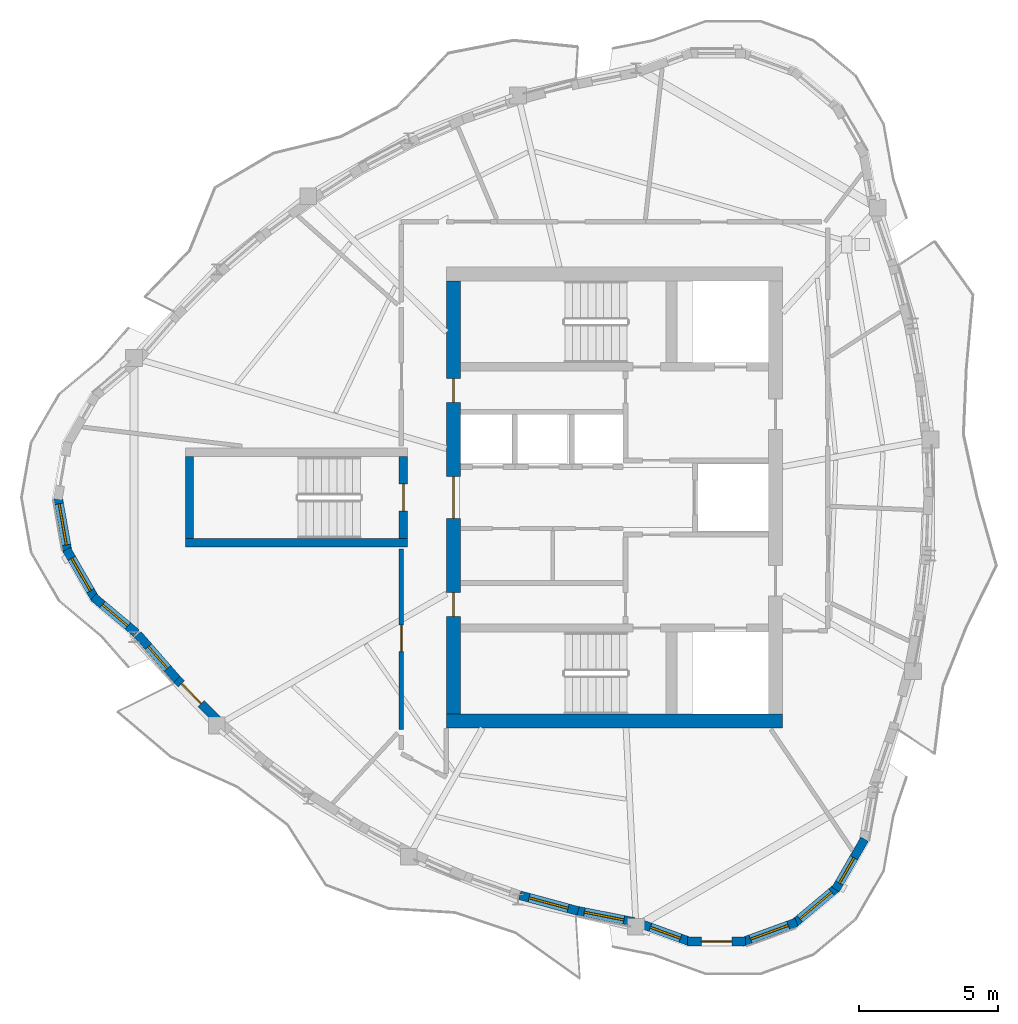
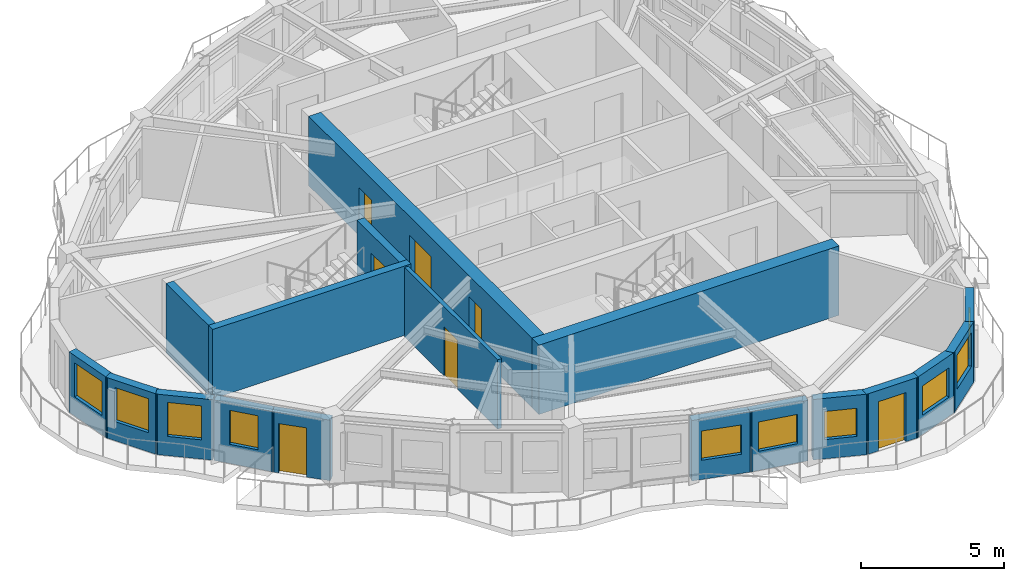
# One storey, part 3 of 12: 18 walls, 10 windows, 7 doors, 17 openings.
"""IFC4 building model written with IfcOpenShell, lengths in metres."""

from ifc_helpers import new_model, si_unit, direction, frame, frame_2d, origin, place, context, subcontext, project, spatial, rectangle, extrude, source, transform, mapped, material, layer, layer_set, type_object, element, fill, save


model = new_model("IFC4")

# Units and contexts
model_context = context("Model", 3, precision=1e-05, world=origin(), true_north=direction((0.0, 1.0)))
body_context = subcontext(model_context, "Body", "Model", "MODEL_VIEW")
ifc_project = project(units=[si_unit("LENGTHUNIT", "METRE"), si_unit("AREAUNIT", "SQUARE_METRE"), si_unit("VOLUMEUNIT", "CUBIC_METRE"), si_unit("PLANEANGLEUNIT", "RADIAN"), si_unit("MASSUNIT", "GRAM", prefix="KILO")], contexts=[model_context])

# Site, building, storey
site_placement = place(None, origin())
site = spatial("IfcSite", under=ifc_project, at=site_placement, CompositionType="ELEMENT")
building_placement = place(site_placement, origin())
building = spatial("IfcBuilding", under=site, at=building_placement, Name="Qafzar Sky-Pleat Residences", CompositionType="ELEMENT")
storey_placement = place(building_placement, frame((0.0, 0.0, 224.39990234375)))
storey = spatial("IfcBuildingStorey", under=building, at=storey_placement, Name="L67", CompositionType="ELEMENT", Elevation=224.39990234375)

# Wall, opening, door
ifc_material_1 = material(Name="Acoustic gypsum plasterboard partition", Category="gypsum")
ifc_layer_1 = layer(ifc_material_1, 0.159912109375)
ifc_layer_set_1 = layer_set([ifc_layer_1], Name="Acoustic gypsum plasterboard partition")
wall_type_1 = type_object("IfcWallType", Name="PART-COR-160", PredefinedType="PARTITIONING", material=ifc_layer_set_1)
wall_1_placement = place(storey_placement, frame((22.679931640625, 17.653076171875, 0.0), z_axis=(0.0, 0.0, 1.0), x_axis=(0.0, 1.0, 0.0)))
wall_1 = element("IfcWall", 1, at=wall_1_placement, inside=storey, type_object=wall_type_1, Name="L67 Partition Wall PART-L67-PW-001", PredefinedType="PARTITIONING", context=body_context, shape_type="SweptSolid", body=[
    extrude(rectangle(XDim=6.496826171875, YDim=0.159912109375, at=frame_2d((3.24853515625, 0.0))), origin(), (0.0, 0.0, 1.0), 2.960205078125),
])
opening_1_placement = place(wall_1_placement, frame((2.79638671875, 0.0, 0.0)))
opening_1 = element("IfcOpeningElement", 2, at=opening_1_placement, cuts=wall_1, Name="Opening ID-06", PredefinedType="OPENING", context=body_context, shape_type="SweptSolid", body=[
    extrude(rectangle(XDim=0.9599609375, YDim=2.10009765625, at=frame_2d((0.47998046875, 1.050048828125))), frame((0.0, 0.08984375, 0.0), z_axis=(0.0, -1.0, 0.0), x_axis=(1.0, 0.0, 0.0)), (0.0, 0.0, 1.0), 0.179931640625),
])
ifc_material_2 = material(Name="Timber-faced fire door", Category="wood")
door_type_1 = type_object("IfcDoorType", Name="DR-STD-960", OperationType="NOTDEFINED", PredefinedType="DOOR", material=ifc_material_2)
shared_shape_1 = source(origin(), body_context, "Body", "SweptSolid", [
    extrude(rectangle(XDim=0.9599609375, YDim=2.10009765625, at=frame_2d((0.47998046875, 1.050048828125))), frame((0.0, 0.02490234375, 0.0), z_axis=(0.0, -1.0, 0.0), x_axis=(1.0, 0.0, 0.0)), (0.0, 0.0, 1.0), 0.050048828125),
])
door_1_placement = place(opening_1_placement, origin())
door_1 = element("IfcDoor", 3, at=door_1_placement, inside=storey, type_object=door_type_1, Name="L67 Faculty Research Office Door", OperationType="SINGLE_SWING_LEFT", OverallHeight=2.10009765625, OverallWidth=0.9599609375, PredefinedType="DOOR", context=body_context, shape_type="MappedRepresentation", body=[
    mapped(shared_shape_1, transform((0.0, 0.0, 0.0), x_axis=(1.0, 0.0, 0.0), y_axis=(0.0, 1.0, 0.0), z_axis=(0.0, 0.0, 1.0), scale=1.0)),
])
fill(opening_1, door_1)

# Wall, opening, window
ifc_material_3 = material(Name="Precast concrete C40/50 with honed Riyadh limestone", Category="concrete")
ifc_layer_2 = layer(ifc_material_3, 0.320068359375)
ifc_layer_set_2 = layer_set([ifc_layer_2], Name="Precast concrete C40/50 with honed Riyadh limestone")
wall_type_2 = type_object("IfcWallType", Name="WALL-EXT-320", PredefinedType="SOLIDWALL", material=ifc_layer_set_2)
wall_2_placement = place(storey_placement, frame((10.305908203125, 26.065185546875, 0.0), z_axis=(0.0, 0.0, 1.0), x_axis=(0.173672066494, -0.984803540469, 0.0)))
wall_2 = element("IfcWall", 4, at=wall_2_placement, inside=storey, type_object=wall_type_2, Name="L67 Limestone Facade Wall 4", PredefinedType="SOLIDWALL", context=body_context, shape_type="SweptSolid", body=[
    extrude(rectangle(XDim=2.09033203125, YDim=0.320068359375, at=frame_2d((1.045166015625, 0.0))), origin(), (0.0, 0.0, 1.0), 2.580078125),
])
opening_2_placement = place(wall_2_placement, frame((0.295166015625, 0.0, 0.820068359375)))
opening_2 = element("IfcOpeningElement", 5, at=opening_2_placement, cuts=wall_2, Name="Opening WN-03", PredefinedType="OPENING", context=body_context, shape_type="SweptSolid", body=[
    extrude(rectangle(XDim=1.5, YDim=1.449951171875, at=frame_2d((0.75, 0.72509765625))), frame((0.0, 0.169921875, 0.0), z_axis=(0.0, -1.0, 0.0), x_axis=(1.0, 0.0, 0.0)), (0.0, 0.0, 1.0), 0.340087890625),
])
ifc_material_4 = material(Name="Solar-control low-E glass in bronze aluminium frame", Category="glass")
window_type_1 = type_object("IfcWindowType", Name="WIN-03", PartitioningType="DOUBLE_PANEL_VERTICAL", PredefinedType="WINDOW", material=ifc_material_4)
shared_shape_2 = source(origin(), body_context, "Body", "SweptSolid", [
    extrude(rectangle(XDim=1.5, YDim=1.449951171875, at=frame_2d((0.75, 0.72509765625))), frame((0.0, 0.030029296875, 0.0), z_axis=(0.0, -1.0, 0.0), x_axis=(1.0, 0.0, 0.0)), (0.0, 0.0, 1.0), 0.06005859375),
])
window_1_placement = place(opening_2_placement, origin())
window_1 = element("IfcWindow", 6, at=window_1_placement, inside=storey, type_object=window_type_1, Name="L67 Punched Facade Window 04", OverallHeight=1.449951171875, OverallWidth=1.5, PartitioningType="SINGLE_PANEL", PredefinedType="WINDOW", context=body_context, shape_type="MappedRepresentation", body=[
    mapped(shared_shape_2, transform((0.0, 0.0, 0.0), x_axis=(1.0, 0.0, 0.0), y_axis=(0.0, 1.0, 0.0), z_axis=(0.0, 0.0, 1.0), scale=1.0)),
])
fill(opening_2, window_1)

wall_3_placement = place(storey_placement, frame((10.62451171875, 24.129150390625, 0.0), z_axis=(0.0, 0.0, 1.0), x_axis=(0.49990781971, -0.866078617559, 0.0)))
wall_3 = element("IfcWall", 7, at=wall_3_placement, inside=storey, type_object=wall_type_2, Name="L67 Limestone Facade Wall 5", PredefinedType="SOLIDWALL", context=body_context, shape_type="SweptSolid", body=[
    extrude(rectangle(XDim=2.09033203125, YDim=0.320068359375, at=frame_2d((1.045166015625, 0.0))), origin(), (0.0, 0.0, 1.0), 2.580078125),
])
opening_3_placement = place(wall_3_placement, frame((0.3701171875, 0.0, 0.820068359375)))
opening_3 = element("IfcOpeningElement", 8, at=opening_3_placement, cuts=wall_3, Name="Opening WN-04", PredefinedType="OPENING", context=body_context, shape_type="SweptSolid", body=[
    extrude(rectangle(XDim=1.35009765625, YDim=1.449951171875, at=frame_2d((0.675048828125, 0.72509765625))), frame((0.0, 0.169921875, 0.0), z_axis=(0.0, -1.0, 0.0), x_axis=(1.0, 0.0, 0.0)), (0.0, 0.0, 1.0), 0.340087890625),
])
window_type_2 = type_object("IfcWindowType", Name="WIN-04", PartitioningType="SINGLE_PANEL", PredefinedType="WINDOW", material=ifc_material_4)
shared_shape_3 = source(origin(), body_context, "Body", "SweptSolid", [
    extrude(rectangle(XDim=1.35009765625, YDim=1.449951171875, at=frame_2d((0.675048828125, 0.72509765625))), frame((0.0, 0.030029296875, 0.0), z_axis=(0.0, -1.0, 0.0), x_axis=(1.0, 0.0, 0.0)), (0.0, 0.0, 1.0), 0.06005859375),
])
window_2_placement = place(opening_3_placement, origin())
window_2 = element("IfcWindow", 9, at=window_2_placement, inside=storey, type_object=window_type_2, Name="L67 Punched Facade Window 05", OverallHeight=1.449951171875, OverallWidth=1.35009765625, PartitioningType="SINGLE_PANEL", PredefinedType="WINDOW", context=body_context, shape_type="MappedRepresentation", body=[
    mapped(shared_shape_3, transform((0.0, 0.0, 0.0), x_axis=(1.0, 0.0, 0.0), y_axis=(0.0, 1.0, 0.0), z_axis=(0.0, 0.0, 1.0), scale=1.0)),
])
fill(opening_3, window_2)

wall_4_placement = place(storey_placement, frame((11.585693359375, 22.418701171875, 0.0), z_axis=(0.0, 0.0, 1.0), x_axis=(0.766099948115, -0.642721455608, 0.0)))
wall_4 = element("IfcWall", 10, at=wall_4_placement, inside=storey, type_object=wall_type_2, Name="L67 Limestone Facade Wall 6", PredefinedType="SOLIDWALL", context=body_context, shape_type="SweptSolid", body=[
    extrude(rectangle(XDim=2.0322265625, YDim=0.320068359375, at=frame_2d((1.01611328125, 0.0))), origin(), (0.0, 0.0, 1.0), 2.580078125),
])
opening_4_placement = place(wall_4_placement, frame((0.42626953125, 0.0, 0.820068359375)))
opening_4 = element("IfcOpeningElement", 11, at=opening_4_placement, cuts=wall_4, Name="Opening WN-05", PredefinedType="OPENING", context=body_context, shape_type="SweptSolid", body=[
    extrude(rectangle(XDim=1.199951171875, YDim=1.449951171875, at=frame_2d((0.60009765625, 0.72509765625))), frame((0.0, 0.169921875, 0.0), z_axis=(0.0, -1.0, 0.0), x_axis=(1.0, 0.0, 0.0)), (0.0, 0.0, 1.0), 0.340087890625),
])
window_type_3 = type_object("IfcWindowType", Name="WIN-05", PartitioningType="SINGLE_PANEL", PredefinedType="WINDOW", material=ifc_material_4)
shared_shape_4 = source(origin(), body_context, "Body", "SweptSolid", [
    extrude(rectangle(XDim=1.199951171875, YDim=1.449951171875, at=frame_2d((0.60009765625, 0.72509765625))), frame((0.0, 0.030029296875, 0.0), z_axis=(0.0, -1.0, 0.0), x_axis=(1.0, 0.0, 0.0)), (0.0, 0.0, 1.0), 0.06005859375),
])
window_3_placement = place(opening_4_placement, origin())
window_3 = element("IfcWindow", 12, at=window_3_placement, inside=storey, type_object=window_type_3, Name="L67 Punched Facade Window 06", OverallHeight=1.449951171875, OverallWidth=1.199951171875, PartitioningType="SINGLE_PANEL", PredefinedType="WINDOW", context=body_context, shape_type="MappedRepresentation", body=[
    mapped(shared_shape_4, transform((0.0, 0.0, 0.0), x_axis=(1.0, 0.0, 0.0), y_axis=(0.0, 1.0, 0.0), z_axis=(0.0, 0.0, 1.0), scale=1.0)),
])
fill(opening_4, window_3)

wall_5_placement = place(storey_placement, frame((13.188720703125, 21.0673828125, 0.0), z_axis=(0.0, 0.0, 1.0), x_axis=(0.657539914165, -0.753419711236, 0.0)))
wall_5 = element("IfcWall", 13, at=wall_5_placement, inside=storey, type_object=wall_type_2, Name="L67 Limestone Facade Wall 7", PredefinedType="SOLIDWALL", context=body_context, shape_type="SweptSolid", body=[
    extrude(rectangle(XDim=2.222900390625, YDim=0.320068359375, at=frame_2d((1.111328125, 0.0))), origin(), (0.0, 0.0, 1.0), 2.580078125),
])
opening_5_placement = place(wall_5_placement, frame((0.576416015625, 0.0, 0.820068359375)))
opening_5 = element("IfcOpeningElement", 14, at=opening_5_placement, cuts=wall_5, Name="Opening WN-06", PredefinedType="OPENING", context=body_context, shape_type="SweptSolid", body=[
    extrude(rectangle(XDim=1.050048828125, YDim=1.449951171875, at=frame_2d((0.52490234375, 0.72509765625))), frame((0.0, 0.169921875, 0.0), z_axis=(0.0, -1.0, 0.0), x_axis=(1.0, 0.0, 0.0)), (0.0, 0.0, 1.0), 0.340087890625),
])
window_type_4 = type_object("IfcWindowType", Name="WIN-06", PartitioningType="SINGLE_PANEL", PredefinedType="WINDOW", material=ifc_material_4)
shared_shape_5 = source(origin(), body_context, "Body", "SweptSolid", [
    extrude(rectangle(XDim=1.050048828125, YDim=1.449951171875, at=frame_2d((0.52490234375, 0.72509765625))), frame((0.0, 0.030029296875, 0.0), z_axis=(0.0, -1.0, 0.0), x_axis=(1.0, 0.0, 0.0)), (0.0, 0.0, 1.0), 0.06005859375),
])
window_4_placement = place(opening_5_placement, origin())
window_4 = element("IfcWindow", 15, at=window_4_placement, inside=storey, type_object=window_type_4, Name="L67 Punched Facade Window 07", OverallHeight=1.449951171875, OverallWidth=1.050048828125, PartitioningType="SINGLE_PANEL", PredefinedType="WINDOW", context=body_context, shape_type="MappedRepresentation", body=[
    mapped(shared_shape_5, transform((0.0, 0.0, 0.0), x_axis=(1.0, 0.0, 0.0), y_axis=(0.0, 1.0, 0.0), z_axis=(0.0, 0.0, 1.0), scale=1.0)),
])
fill(opening_5, window_4)

# Wall, opening, door
wall_6_placement = place(storey_placement, frame((14.591064453125, 19.456298828125, 0.0), z_axis=(0.0, 0.0, 1.0), x_axis=(0.708380322839, -0.705830941667, 0.0)))
wall_6 = element("IfcWall", 16, at=wall_6_placement, inside=storey, type_object=wall_type_2, Name="L67 Limestone Facade Wall 8", PredefinedType="SOLIDWALL", context=body_context, shape_type="SweptSolid", body=[
    extrude(rectangle(XDim=2.10693359375, YDim=0.320068359375, at=frame_2d((1.053466796875, 0.0))), origin(), (0.0, 0.0, 1.0), 2.580078125),
])
opening_6_placement = place(wall_6_placement, frame((0.239990234375, 0.0, 0.0)))
opening_6 = element("IfcOpeningElement", 17, at=opening_6_placement, cuts=wall_6, Name="Opening ED-05", PredefinedType="OPENING", context=body_context, shape_type="SweptSolid", body=[
    extrude(rectangle(XDim=1.0, YDim=2.10009765625, at=frame_2d((0.5, 1.050048828125))), frame((0.0, 0.169921875, 0.0), z_axis=(0.0, -1.0, 0.0), x_axis=(1.0, 0.0, 0.0)), (0.0, 0.0, 1.0), 0.340087890625),
])
ifc_material_5 = material(Name="Glazed bronze aluminium door", Category="aluminium")
door_type_2 = type_object("IfcDoorType", Name="DR-BAL-1000", OperationType="NOTDEFINED", PredefinedType="DOOR", material=ifc_material_5)
shared_shape_6 = source(origin(), body_context, "Body", "SweptSolid", [
    extrude(rectangle(XDim=1.0, YDim=2.10009765625, at=frame_2d((0.5, 1.050048828125))), frame((0.0, 0.02490234375, 0.0), z_axis=(0.0, -1.0, 0.0), x_axis=(1.0, 0.0, 0.0)), (0.0, 0.0, 1.0), 0.050048828125),
])
door_2_placement = place(opening_6_placement, origin())
door_2 = element("IfcDoor", 18, at=door_2_placement, inside=storey, type_object=door_type_2, Name="L67 Glazed Balcony Door 3", OperationType="SINGLE_SWING_LEFT", OverallHeight=2.10009765625, OverallWidth=1.0, PredefinedType="DOOR", context=body_context, shape_type="MappedRepresentation", body=[
    mapped(shared_shape_6, transform((0.0, 0.0, 0.0), x_axis=(1.0, 0.0, 0.0), y_axis=(0.0, 1.0, 0.0), z_axis=(0.0, 0.0, 1.0), scale=1.0)),
])
fill(opening_6, door_2)

# Wall, opening, window
wall_7_placement = place(storey_placement, frame((26.935791015625, 11.682861328125, 0.0), z_axis=(0.0, 0.0, 1.0), x_axis=(0.965433598317, -0.260649126683, 0.0)))
wall_7 = element("IfcWall", 19, at=wall_7_placement, inside=storey, type_object=wall_type_2, Name="L67 Limestone Facade Wall 15", PredefinedType="SOLIDWALL", context=body_context, shape_type="SweptSolid", body=[
    extrude(rectangle(XDim=2.1767578125, YDim=0.320068359375, at=frame_2d((1.08837890625, 0.0))), origin(), (0.0, 0.0, 1.0), 2.580078125),
])
opening_7_placement = place(wall_7_placement, frame((0.353515625, 0.0, 0.820068359375)))
opening_7 = element("IfcOpeningElement", 20, at=opening_7_placement, cuts=wall_7, Name="Opening WN-15", PredefinedType="OPENING", context=body_context, shape_type="SweptSolid", body=[
    extrude(rectangle(XDim=1.449951171875, YDim=1.25, at=frame_2d((0.72509765625, 0.625))), frame((0.0, 0.169921875, 0.0), z_axis=(0.0, -1.0, 0.0), x_axis=(1.0, 0.0, 0.0)), (0.0, 0.0, 1.0), 0.340087890625),
])
window_type_5 = type_object("IfcWindowType", Name="WIN-15", PartitioningType="SINGLE_PANEL", PredefinedType="WINDOW", material=ifc_material_4)
shared_shape_7 = source(origin(), body_context, "Body", "SweptSolid", [
    extrude(rectangle(XDim=1.449951171875, YDim=1.25, at=frame_2d((0.72509765625, 0.625))), frame((0.0, 0.030029296875, 0.0), z_axis=(0.0, -1.0, 0.0), x_axis=(1.0, 0.0, 0.0)), (0.0, 0.0, 1.0), 0.06005859375),
])
window_5_placement = place(opening_7_placement, origin())
window_5 = element("IfcWindow", 21, at=window_5_placement, inside=storey, type_object=window_type_5, Name="L67 Punched Facade Window 15", OverallHeight=1.25, OverallWidth=1.449951171875, PartitioningType="SINGLE_PANEL", PredefinedType="WINDOW", context=body_context, shape_type="MappedRepresentation", body=[
    mapped(shared_shape_7, transform((0.0, 0.0, 0.0), x_axis=(1.0, 0.0, 0.0), y_axis=(0.0, 1.0, 0.0), z_axis=(0.0, 0.0, 1.0), scale=1.0)),
])
fill(opening_7, window_5)

wall_8_placement = place(storey_placement, frame((28.95263671875, 11.13525390625, 0.0), z_axis=(0.0, 0.0, 1.0), x_axis=(0.981238094161, -0.192799902921, 0.0)))
wall_8 = element("IfcWall", 22, at=wall_8_placement, inside=storey, type_object=wall_type_2, Name="L67 Limestone Facade Wall 16", PredefinedType="SOLIDWALL", context=body_context, shape_type="SweptSolid", body=[
    extrude(rectangle(XDim=2.152587890625, YDim=0.320068359375, at=frame_2d((1.076171875, 0.0))), origin(), (0.0, 0.0, 1.0), 2.580078125),
])
opening_8_placement = place(wall_8_placement, frame((0.31640625, 0.0, 0.820068359375)))
opening_8 = element("IfcOpeningElement", 23, at=opening_8_placement, cuts=wall_8, Name="Opening WN-15", PredefinedType="OPENING", context=body_context, shape_type="SweptSolid", body=[
    extrude(rectangle(XDim=1.449951171875, YDim=1.25, at=frame_2d((0.72509765625, 0.625))), frame((0.0, 0.169921875, 0.0), z_axis=(0.0, -1.0, 0.0), x_axis=(1.0, 0.0, 0.0)), (0.0, 0.0, 1.0), 0.340087890625),
])
window_6_placement = place(opening_8_placement, origin())
window_6 = element("IfcWindow", 24, at=window_6_placement, inside=storey, type_object=window_type_5, Name="L67 Punched Facade Window 16", OverallHeight=1.25, OverallWidth=1.449951171875, PartitioningType="SINGLE_PANEL", PredefinedType="WINDOW", context=body_context, shape_type="MappedRepresentation", body=[
    mapped(shared_shape_7, transform((0.0, 0.0, 0.0), x_axis=(1.0, 0.0, 0.0), y_axis=(0.0, 1.0, 0.0), z_axis=(0.0, 0.0, 1.0), scale=1.0)),
])
fill(opening_8, window_6)

wall_9_placement = place(storey_placement, frame((31.26171875, 10.665283203125, 0.0), z_axis=(0.0, 0.0, 1.0), x_axis=(0.939695306975, -0.342012762991, 0.0)))
wall_9 = element("IfcWall", 25, at=wall_9_placement, inside=storey, type_object=wall_type_2, Name="L67 Limestone Facade Wall 17", PredefinedType="SOLIDWALL", context=body_context, shape_type="SweptSolid", body=[
    extrude(rectangle(XDim=1.96240234375, YDim=0.320068359375, at=frame_2d((0.981201171875, 0.0))), origin(), (0.0, 0.0, 1.0), 2.580078125),
])
opening_9_placement = place(wall_9_placement, frame((0.401123046875, 0.0, 0.820068359375)))
opening_9 = element("IfcOpeningElement", 26, at=opening_9_placement, cuts=wall_9, Name="Opening WN-16", PredefinedType="OPENING", context=body_context, shape_type="SweptSolid", body=[
    extrude(rectangle(XDim=1.14990234375, YDim=1.199951171875, at=frame_2d((0.574951171875, 0.60009765625))), frame((0.0, 0.169921875, 0.0), z_axis=(0.0, -1.0, 0.0), x_axis=(1.0, 0.0, 0.0)), (0.0, 0.0, 1.0), 0.340087890625),
])
window_type_6 = type_object("IfcWindowType", Name="WIN-16", PartitioningType="SINGLE_PANEL", PredefinedType="WINDOW", material=ifc_material_4)
shared_shape_8 = source(origin(), body_context, "Body", "SweptSolid", [
    extrude(rectangle(XDim=1.14990234375, YDim=1.199951171875, at=frame_2d((0.574951171875, 0.60009765625))), frame((0.0, 0.030029296875, 0.0), z_axis=(0.0, -1.0, 0.0), x_axis=(1.0, 0.0, 0.0)), (0.0, 0.0, 1.0), 0.06005859375),
])
window_7_placement = place(opening_9_placement, origin())
window_7 = element("IfcWindow", 27, at=window_7_placement, inside=storey, type_object=window_type_6, Name="L67 Punched Facade Window 17", OverallHeight=1.199951171875, OverallWidth=1.14990234375, PartitioningType="SINGLE_PANEL", PredefinedType="WINDOW", context=body_context, shape_type="MappedRepresentation", body=[
    mapped(shared_shape_8, transform((0.0, 0.0, 0.0), x_axis=(1.0, 0.0, 0.0), y_axis=(0.0, 1.0, 0.0), z_axis=(0.0, 0.0, 1.0), scale=1.0)),
])
fill(opening_9, window_7)

# Wall, opening, door
wall_10_placement = place(storey_placement, frame((32.977294921875, 10.016845703125, 0.0), z_axis=(0.0, 0.0, 1.0), x_axis=(1.0, 0.0, 0.0)))
wall_10 = element("IfcWall", 28, at=wall_10_placement, inside=storey, type_object=wall_type_2, Name="L67 Limestone Facade Wall 18", PredefinedType="SOLIDWALL", context=body_context, shape_type="SweptSolid", body=[
    extrude(rectangle(XDim=2.09033203125, YDim=0.320068359375, at=frame_2d((1.045166015625, 0.0))), origin(), (0.0, 0.0, 1.0), 2.580078125),
])
opening_10_placement = place(wall_10_placement, frame((0.4951171875, 0.0, 0.0)))
opening_10 = element("IfcOpeningElement", 29, at=opening_10_placement, cuts=wall_10, Name="Opening ED-06", PredefinedType="OPENING", context=body_context, shape_type="SweptSolid", body=[
    extrude(rectangle(XDim=1.10009765625, YDim=2.10009765625, at=frame_2d((0.550048828125, 1.050048828125))), frame((0.0, 0.169921875, 0.0), z_axis=(0.0, -1.0, 0.0), x_axis=(1.0, 0.0, 0.0)), (0.0, 0.0, 1.0), 0.340087890625),
])
door_type_3 = type_object("IfcDoorType", Name="DR-BAL-1100", OperationType="NOTDEFINED", PredefinedType="DOOR", material=ifc_material_5)
shared_shape_9 = source(origin(), body_context, "Body", "SweptSolid", [
    extrude(rectangle(XDim=1.10009765625, YDim=2.10009765625, at=frame_2d((0.550048828125, 1.050048828125))), frame((0.0, 0.02490234375, 0.0), z_axis=(0.0, -1.0, 0.0), x_axis=(1.0, 0.0, 0.0)), (0.0, 0.0, 1.0), 0.050048828125),
])
door_3_placement = place(opening_10_placement, origin())
door_3 = element("IfcDoor", 30, at=door_3_placement, inside=storey, type_object=door_type_3, Name="L67 Terrace Glazed Door 3", OperationType="SINGLE_SWING_LEFT", OverallHeight=2.10009765625, OverallWidth=1.10009765625, PredefinedType="DOOR", context=body_context, shape_type="MappedRepresentation", body=[
    mapped(shared_shape_9, transform((0.0, 0.0, 0.0), x_axis=(1.0, 0.0, 0.0), y_axis=(0.0, 1.0, 0.0), z_axis=(0.0, 0.0, 1.0), scale=1.0)),
])
fill(opening_10, door_3)

# Wall, opening, window
wall_11_placement = place(storey_placement, frame((34.939208984375, 9.994140625, 0.0), z_axis=(0.0, 0.0, 1.0), x_axis=(0.939711556618, 0.341968113072, 0.0)))
wall_11 = element("IfcWall", 31, at=wall_11_placement, inside=storey, type_object=wall_type_2, Name="L67 Limestone Facade Wall 19", PredefinedType="SOLIDWALL", context=body_context, shape_type="SweptSolid", body=[
    extrude(rectangle(XDim=2.09033203125, YDim=0.320068359375, at=frame_2d((1.045166015625, 0.0))), origin(), (0.0, 0.0, 1.0), 2.580078125),
])
opening_11_placement = place(wall_11_placement, frame((0.3203125, 0.0, 0.820068359375)))
opening_11 = element("IfcOpeningElement", 32, at=opening_11_placement, cuts=wall_11, Name="Opening WN-15", PredefinedType="OPENING", context=body_context, shape_type="SweptSolid", body=[
    extrude(rectangle(XDim=1.449951171875, YDim=1.25, at=frame_2d((0.72509765625, 0.625))), frame((0.0, 0.169921875, 0.0), z_axis=(0.0, -1.0, 0.0), x_axis=(1.0, 0.0, 0.0)), (0.0, 0.0, 1.0), 0.340087890625),
])
window_8_placement = place(opening_11_placement, origin())
window_8 = element("IfcWindow", 33, at=window_8_placement, inside=storey, type_object=window_type_5, Name="L67 Punched Facade Window 19", OverallHeight=1.25, OverallWidth=1.449951171875, PartitioningType="SINGLE_PANEL", PredefinedType="WINDOW", context=body_context, shape_type="MappedRepresentation", body=[
    mapped(shared_shape_7, transform((0.0, 0.0, 0.0), x_axis=(1.0, 0.0, 0.0), y_axis=(0.0, 1.0, 0.0), z_axis=(0.0, 0.0, 1.0), scale=1.0)),
])
fill(opening_11, window_8)

wall_12_placement = place(storey_placement, frame((36.79052734375, 10.643798828125, 0.0), z_axis=(0.0, 0.0, 1.0), x_axis=(0.766024572719, 0.642811289563, 0.0)))
wall_12 = element("IfcWall", 34, at=wall_12_placement, inside=storey, type_object=wall_type_2, Name="L67 Limestone Facade Wall 20", PredefinedType="SOLIDWALL", context=body_context, shape_type="SweptSolid", body=[
    extrude(rectangle(XDim=2.09033203125, YDim=0.320068359375, at=frame_2d((1.045166015625, 0.0))), origin(), (0.0, 0.0, 1.0), 2.580078125),
])
opening_12_placement = place(wall_12_placement, frame((0.295166015625, 0.0, 0.820068359375)))
opening_12 = element("IfcOpeningElement", 35, at=opening_12_placement, cuts=wall_12, Name="Opening WN-03", PredefinedType="OPENING", context=body_context, shape_type="SweptSolid", body=[
    extrude(rectangle(XDim=1.5, YDim=1.449951171875, at=frame_2d((0.75, 0.72509765625))), frame((0.0, 0.169921875, 0.0), z_axis=(0.0, -1.0, 0.0), x_axis=(1.0, 0.0, 0.0)), (0.0, 0.0, 1.0), 0.340087890625),
])
window_9_placement = place(opening_12_placement, origin())
window_9 = element("IfcWindow", 36, at=window_9_placement, inside=storey, type_object=window_type_1, Name="L67 Punched Facade Window 20", OverallHeight=1.449951171875, OverallWidth=1.5, PartitioningType="SINGLE_PANEL", PredefinedType="WINDOW", context=body_context, shape_type="MappedRepresentation", body=[
    mapped(shared_shape_2, transform((0.0, 0.0, 0.0), x_axis=(1.0, 0.0, 0.0), y_axis=(0.0, 1.0, 0.0), z_axis=(0.0, 0.0, 1.0), scale=1.0)),
])
fill(opening_12, window_9)

wall_13_placement = place(storey_placement, frame((38.30810546875, 11.8876953125, 0.0), z_axis=(0.0, 0.0, 1.0), x_axis=(0.49990781971, 0.866078617559, 0.0)))
wall_13 = element("IfcWall", 37, at=wall_13_placement, inside=storey, type_object=wall_type_2, Name="L67 Limestone Facade Wall 21", PredefinedType="SOLIDWALL", context=body_context, shape_type="SweptSolid", body=[
    extrude(rectangle(XDim=2.09033203125, YDim=0.320068359375, at=frame_2d((1.045166015625, 0.0))), origin(), (0.0, 0.0, 1.0), 2.580078125),
])
opening_13_placement = place(wall_13_placement, frame((0.2705078125, 0.0, 0.820068359375)))
opening_13 = element("IfcOpeningElement", 38, at=opening_13_placement, cuts=wall_13, Name="Opening WN-06", PredefinedType="OPENING", context=body_context, shape_type="SweptSolid", body=[
    extrude(rectangle(XDim=1.050048828125, YDim=1.449951171875, at=frame_2d((0.52490234375, 0.72509765625))), frame((0.0, 0.169921875, 0.0), z_axis=(0.0, -1.0, 0.0), x_axis=(1.0, 0.0, 0.0)), (0.0, 0.0, 1.0), 0.340087890625),
])
window_10_placement = place(opening_13_placement, origin())
window_10 = element("IfcWindow", 39, at=window_10_placement, inside=storey, type_object=window_type_4, Name="L67 Punched Facade Window 21", OverallHeight=1.449951171875, OverallWidth=1.050048828125, PartitioningType="SINGLE_PANEL", PredefinedType="WINDOW", context=body_context, shape_type="MappedRepresentation", body=[
    mapped(shared_shape_5, transform((0.0, 0.0, 0.0), x_axis=(1.0, 0.0, 0.0), y_axis=(0.0, 1.0, 0.0), z_axis=(0.0, 0.0, 1.0), scale=1.0)),
])
fill(opening_13, window_10)

# Walls
ifc_material_6 = material(Name="Concrete C60/75", Category="concrete")
ifc_layer_3 = layer(ifc_material_6, 0.300048828125)
ifc_layer_set_3 = layer_set([ifc_layer_3], Name="Concrete C60/75")
wall_type_3 = type_object("IfcWallType", Name="WALL-SHEAR-300", PredefinedType="SHEAR", material=ifc_layer_set_3)
wall_14_placement = place(storey_placement, frame((14.89990234375, 24.375, 0.0), z_axis=(0.0, 0.0, 1.0), x_axis=(1.0, 0.0, 0.0)))
element("IfcWall", 40, at=wall_14_placement, inside=storey, type_object=wall_type_3, Name="L67 ST3 wall S", PredefinedType="SHEAR", context=body_context, shape_type="SweptSolid", body=[
    extrude(rectangle(XDim=8.0, YDim=0.300048828125, at=frame_2d((4.0, 0.0))), origin(), (0.0, 0.0, 1.0), 2.960205078125),
])
wall_15_placement = place(storey_placement, frame((15.050048828125, 27.47509765625, 0.0), z_axis=(0.0, 0.0, 1.0), x_axis=(0.0, -1.0, 0.0)))
element("IfcWall", 41, at=wall_15_placement, inside=storey, type_object=wall_type_3, Name="L67 ST3 wall W", PredefinedType="SHEAR", context=body_context, shape_type="SweptSolid", body=[
    extrude(rectangle(XDim=2.9501953125, YDim=0.300048828125, at=frame_2d((1.47509765625, 0.0))), origin(), (0.0, 0.0, 1.0), 2.960205078125),
])

# Wall, opening, door
wall_16_placement = place(storey_placement, frame((22.75, 24.52490234375, 0.0), z_axis=(0.0, 0.0, 1.0), x_axis=(0.0, 1.0, 0.0)))
wall_16 = element("IfcWall", 42, at=wall_16_placement, inside=storey, type_object=wall_type_3, Name="L67 ST3 wall E", PredefinedType="SHEAR", context=body_context, shape_type="SweptSolid", body=[
    extrude(rectangle(XDim=2.9501953125, YDim=0.300048828125, at=frame_2d((1.47509765625, 0.0))), origin(), (0.0, 0.0, 1.0), 2.960205078125),
])
opening_14_placement = place(wall_16_placement, frame((0.985107421875, 0.0, 0.0)))
opening_14 = element("IfcOpeningElement", 43, at=opening_14_placement, cuts=wall_16, Name="Opening ID-01", PredefinedType="OPENING", context=body_context, shape_type="SweptSolid", body=[
    extrude(rectangle(XDim=0.97998046875, YDim=2.14990234375, at=frame_2d((0.489990234375, 1.074951171875))), frame((0.0, 0.16015625, 0.0), z_axis=(0.0, -1.0, 0.0), x_axis=(1.0, 0.0, 0.0)), (0.0, 0.0, 1.0), 0.320068359375),
])
door_type_4 = type_object("IfcDoorType", Name="DR-STAIR-980", OperationType="NOTDEFINED", PredefinedType="DOOR", material=ifc_material_2)
shared_shape_10 = source(origin(), body_context, "Body", "SweptSolid", [
    extrude(rectangle(XDim=0.97998046875, YDim=2.14990234375, at=frame_2d((0.489990234375, 1.074951171875))), frame((0.0, 0.02490234375, 0.0), z_axis=(0.0, -1.0, 0.0), x_axis=(1.0, 0.0, 0.0)), (0.0, 0.0, 1.0), 0.050048828125),
])
door_4_placement = place(opening_14_placement, origin())
door_4 = element("IfcDoor", 44, at=door_4_placement, inside=storey, type_object=door_type_4, Name="L67 Stair ST3 Fire Door", OperationType="SINGLE_SWING_RIGHT", OverallHeight=2.14990234375, OverallWidth=0.97998046875, PredefinedType="DOOR", context=body_context, shape_type="MappedRepresentation", body=[
    mapped(shared_shape_10, transform((0.0, 0.0, 0.0), x_axis=(1.0, 0.0, 0.0), y_axis=(0.0, 1.0, 0.0), z_axis=(0.0, 0.0, 1.0), scale=1.0)),
])
fill(opening_14, door_4)

# Wall
ifc_layer_4 = layer(ifc_material_6, 0.5)
ifc_layer_set_4 = layer_set([ifc_layer_4], Name="Concrete C60/75")
wall_type_4 = type_object("IfcWallType", Name="WALL-SHEAR-500", PredefinedType="SHEAR", material=ifc_layer_set_4)
wall_17_placement = place(storey_placement, frame((24.300048828125, 17.949951171875, 0.0), z_axis=(0.0, 0.0, 1.0), x_axis=(1.0, 0.0, 0.0)))
element("IfcWall", 45, at=wall_17_placement, inside=storey, type_object=wall_type_4, Name="L67 CORE wall S", PredefinedType="SHEAR", context=body_context, shape_type="SweptSolid", body=[
    extrude(rectangle(XDim=12.099853515625, YDim=0.5, at=frame_2d((6.0498046875, 0.0))), origin(), (0.0, 0.0, 1.0), 2.960205078125),
])

# Wall, openings, doors
wall_18_placement = place(storey_placement, frame((24.550048828125, 33.800048828125, 0.0), z_axis=(0.0, 0.0, 1.0), x_axis=(0.0, -1.0, 0.0)))
wall_18 = element("IfcWall", 46, at=wall_18_placement, inside=storey, type_object=wall_type_4, Name="L67 CORE wall W", PredefinedType="SHEAR", context=body_context, shape_type="SweptSolid", body=[
    extrude(rectangle(XDim=15.60009765625, YDim=0.5, at=frame_2d((7.800048828125, 0.0))), origin(), (0.0, 0.0, 1.0), 2.960205078125),
])
opening_15_placement = place(wall_18_placement, frame((7.050048828125, 0.0, 0.0)))
opening_15 = element("IfcOpeningElement", 47, at=opening_15_placement, cuts=wall_18, Name="Opening ID-03", PredefinedType="OPENING", context=body_context, shape_type="SweptSolid", body=[
    extrude(rectangle(XDim=1.5, YDim=2.14990234375, at=frame_2d((0.75, 1.074951171875))), frame((0.0, 0.260009765625, 0.0), z_axis=(0.0, -1.0, 0.0), x_axis=(1.0, 0.0, 0.0)), (0.0, 0.0, 1.0), 0.52001953125),
])
opening_16_placement = place(wall_18_placement, frame((3.52001953125, 0.0, 0.0)))
opening_16 = element("IfcOpeningElement", 48, at=opening_16_placement, cuts=wall_18, Name="Opening ID-09", PredefinedType="OPENING", context=body_context, shape_type="SweptSolid", body=[
    extrude(rectangle(XDim=0.860107421875, YDim=2.050048828125, at=frame_2d((0.43017578125, 1.02490234375))), frame((0.0, 0.260009765625, 0.0), z_axis=(0.0, -1.0, 0.0), x_axis=(1.0, 0.0, 0.0)), (0.0, 0.0, 1.0), 0.52001953125),
])
opening_17_placement = place(wall_18_placement, frame((11.219970703125, 0.0, 0.0)))
opening_17 = element("IfcOpeningElement", 49, at=opening_17_placement, cuts=wall_18, Name="Opening ID-09", PredefinedType="OPENING", context=body_context, shape_type="SweptSolid", body=[
    extrude(rectangle(XDim=0.860107421875, YDim=2.050048828125, at=frame_2d((0.43017578125, 1.02490234375))), frame((0.0, 0.260009765625, 0.0), z_axis=(0.0, -1.0, 0.0), x_axis=(1.0, 0.0, 0.0)), (0.0, 0.0, 1.0), 0.52001953125),
])
door_type_5 = type_object("IfcDoorType", Name="DR-COR-1500", OperationType="DOUBLE_DOOR_SINGLE_SWING", PredefinedType="DOOR", material=ifc_material_2)
shared_shape_11 = source(origin(), body_context, "Body", "SweptSolid", [
    extrude(rectangle(XDim=1.5, YDim=2.14990234375, at=frame_2d((0.75, 1.074951171875))), frame((0.0, 0.02490234375, 0.0), z_axis=(0.0, -1.0, 0.0), x_axis=(1.0, 0.0, 0.0)), (0.0, 0.0, 1.0), 0.050048828125),
])
door_5_placement = place(opening_15_placement, origin())
door_5 = element("IfcDoor", 50, at=door_5_placement, inside=storey, type_object=door_type_5, Name="L67 Lift Lobby West Double Door", OperationType="DOUBLE_DOOR_SINGLE_SWING", OverallHeight=2.14990234375, OverallWidth=1.5, PredefinedType="DOOR", context=body_context, shape_type="MappedRepresentation", body=[
    mapped(shared_shape_11, transform((0.0, 0.0, 0.0), x_axis=(1.0, 0.0, 0.0), y_axis=(0.0, 1.0, 0.0), z_axis=(0.0, 0.0, 1.0), scale=1.0)),
])
fill(opening_15, door_5)
door_type_6 = type_object("IfcDoorType", Name="DR-SVC-860", OperationType="NOTDEFINED", PredefinedType="DOOR", material=ifc_material_2)
shared_shape_12 = source(origin(), body_context, "Body", "SweptSolid", [
    extrude(rectangle(XDim=0.860107421875, YDim=2.050048828125, at=frame_2d((0.43017578125, 1.02490234375))), frame((0.0, 0.02490234375, 0.0), z_axis=(0.0, -1.0, 0.0), x_axis=(1.0, 0.0, 0.0)), (0.0, 0.0, 1.0), 0.050048828125),
])
door_6_placement = place(opening_16_placement, origin())
door_6 = element("IfcDoor", 51, at=door_6_placement, inside=storey, type_object=door_type_6, Name="L67 Core North-West Service Door", OperationType="SINGLE_SWING_LEFT", OverallHeight=2.050048828125, OverallWidth=0.860107421875, PredefinedType="DOOR", context=body_context, shape_type="MappedRepresentation", body=[
    mapped(shared_shape_12, transform((0.0, 0.0, 0.0), x_axis=(1.0, 0.0, 0.0), y_axis=(0.0, 1.0, 0.0), z_axis=(0.0, 0.0, 1.0), scale=1.0)),
])
fill(opening_16, door_6)
door_7_placement = place(opening_17_placement, origin())
door_7 = element("IfcDoor", 52, at=door_7_placement, inside=storey, type_object=door_type_6, Name="L67 Core South-West Service Door", OperationType="SINGLE_SWING_RIGHT", OverallHeight=2.050048828125, OverallWidth=0.860107421875, PredefinedType="DOOR", context=body_context, shape_type="MappedRepresentation", body=[
    mapped(shared_shape_12, transform((0.0, 0.0, 0.0), x_axis=(1.0, 0.0, 0.0), y_axis=(0.0, 1.0, 0.0), z_axis=(0.0, 0.0, 1.0), scale=1.0)),
])
fill(opening_17, door_7)

save(model, "model.ifc")
